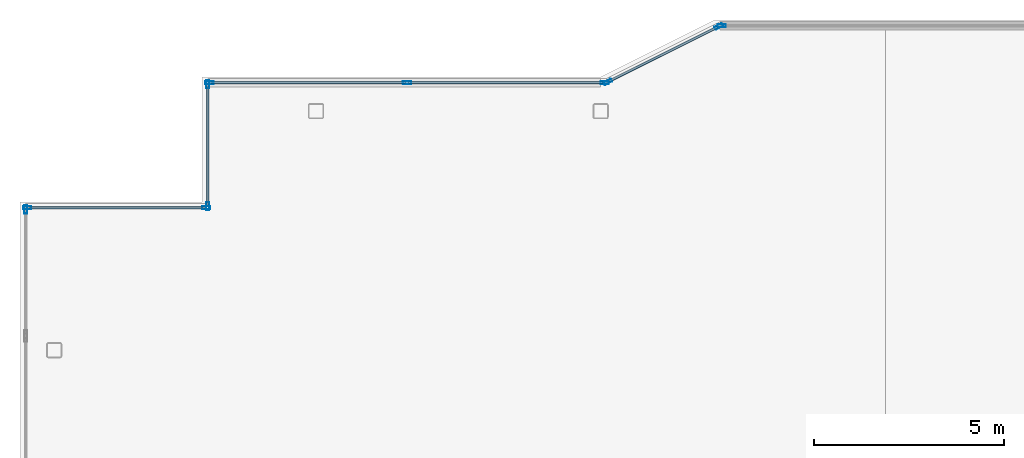
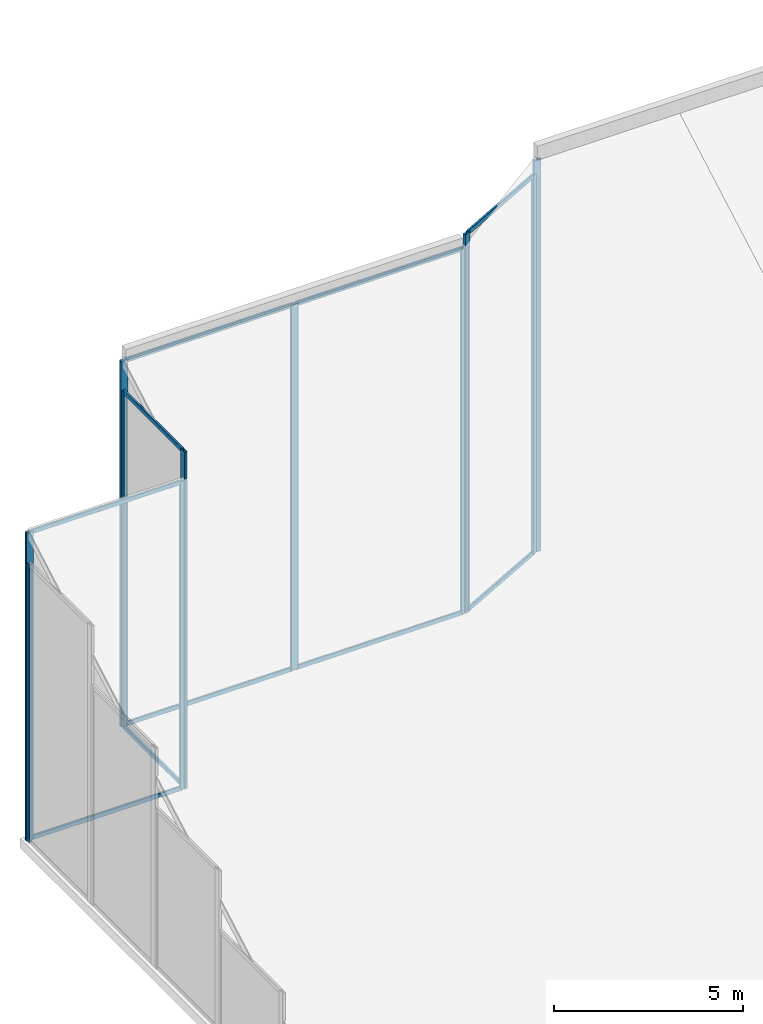
# One storey, part 4 of 11: 21 members, 6 elements without a shape of their own.
"""IFC4 building model written with IfcOpenShell, lengths in metres."""

from ifc_helpers import new_model, si_unit, direction, frame, origin, origin_2d, place, context, subcontext, project, spatial, hollow_rectangle, extrude, material, layer, layer_set, material_profile, profile_set, type_object, element, aggregate, save


model = new_model("IFC4")

# Units and contexts
model_context = context("Model", 3, precision=1e-05, world=origin(), true_north=direction((0.0, 1.0)))
body_context = subcontext(model_context, "Body", "Model", "MODEL_VIEW")
ifc_project = project(units=[si_unit("LENGTHUNIT", "METRE"), si_unit("AREAUNIT", "SQUARE_METRE"), si_unit("VOLUMEUNIT", "CUBIC_METRE"), si_unit("PLANEANGLEUNIT", "RADIAN"), si_unit("MASSUNIT", "GRAM", prefix="KILO")], contexts=[model_context])

# Site, building, storey
site_placement = place(None, origin())
site = spatial("IfcSite", under=ifc_project, at=site_placement, CompositionType="ELEMENT")
building_placement = place(site_placement, origin())
building = spatial("IfcBuilding", under=site, at=building_placement, Name="Tarnavaz Court Tower", CompositionType="ELEMENT")
storey_placement = place(building_placement, frame((0.0, 0.0, 304.050048828125)))
storey = spatial("IfcBuildingStorey", under=building, at=storey_placement, Name="C06", CompositionType="ELEMENT", Elevation=304.050048828125)

# Curtain wall, members
ifc_material_1 = material(Name="Anodised Aluminium 6063-T6 and Solar Low-E Glazing", Category="aluminium")
ifc_layer = layer(ifc_material_1, 0.2099609375)
ifc_layer_set = layer_set([ifc_layer], Name="Anodised Aluminium 6063-T6 and Solar Low-E Glazing")
curtain_wall_type = type_object("IfcCurtainWallType", Name="CW-SYS-06", PredefinedType="NOTDEFINED", material=ifc_layer_set)
curtain_wall_1_placement = place(storey_placement, origin())
curtain_wall_1 = element("IfcCurtainWall", 1, at=curtain_wall_1_placement, inside=storey, type_object=curtain_wall_type, Name="C06 Slanted Crown Terracotta Curtain Wall 1", PredefinedType="NOTDEFINED")
ifc_material_2 = material(Name="Anodised Aluminium 6063-T6", Category="aluminium")
ifc_material_profile_1 = material_profile(ifc_material_2, hollow_rectangle(XDim=0.0849609375, YDim=0.219970703125, WallThickness=0.006103515625, InnerFilletRadius=0.006103515625, OuterFilletRadius=0.011962890625, at=origin_2d()), Name="ALU RHS 220X85X6")
ifc_profile_set_1 = profile_set([ifc_material_profile_1], Name="Anodised Aluminium 6063-T6")
member_type_1 = type_object("IfcMemberType", Name="CW-MUL-220", PredefinedType="MULLION", material=ifc_profile_set_1)
member_1_placement = place(storey_placement, frame((-22.607421875, 17.550048828125, 0.0), z_axis=(0.0, 0.0, 1.0), x_axis=(0.0, 1.0, 0.0)))
member_1 = element("IfcMember", 2, at=member_1_placement, type_object=member_type_1, Name="CW mullion 1", PredefinedType="MULLION", context=body_context, shape_type="SweptSolid", body=[
    extrude(hollow_rectangle(XDim=0.0849609375, YDim=0.219970703125, WallThickness=0.006103515625, InnerFilletRadius=0.006103515625, OuterFilletRadius=0.011962890625, at=origin_2d()), origin(), (0.0, 0.0, 1.0), 9.96044921875),
])
member_2_placement = place(storey_placement, frame((-17.892578125, 17.550048828125, 0.0), z_axis=(0.0, 0.0, 1.0), x_axis=(0.0, 1.0, 0.0)))
member_2 = element("IfcMember", 3, at=member_2_placement, type_object=member_type_1, Name="CW mullion 2", PredefinedType="MULLION", context=body_context, shape_type="SweptSolid", body=[
    extrude(hollow_rectangle(XDim=0.0849609375, YDim=0.219970703125, WallThickness=0.006103515625, InnerFilletRadius=0.006103515625, OuterFilletRadius=0.011962890625, at=origin_2d()), origin(), (0.0, 0.0, 1.0), 9.96044921875),
])

curtain_wall_2_placement = place(storey_placement, origin())
curtain_wall_2 = element("IfcCurtainWall", 4, at=curtain_wall_2_placement, inside=storey, type_object=curtain_wall_type, Name="C06 Slanted Crown Terracotta Curtain Wall 2", PredefinedType="NOTDEFINED")
member_3_placement = place(storey_placement, frame((-17.85009765625, 17.592529296875, 0.0), z_axis=(0.0, 0.0, 1.0), x_axis=(-1.0, 0.0, 0.0)))
member_3 = element("IfcMember", 5, at=member_3_placement, type_object=member_type_1, Name="CW mullion 1", PredefinedType="MULLION", context=body_context, shape_type="SweptSolid", body=[
    extrude(hollow_rectangle(XDim=0.0849609375, YDim=0.219970703125, WallThickness=0.006103515625, InnerFilletRadius=0.006103515625, OuterFilletRadius=0.011962890625, at=origin_2d()), origin(), (0.0, 0.0, 1.0), 10.8935546875),
])
member_4_placement = place(storey_placement, frame((-17.85009765625, 20.8076171875, 0.0), z_axis=(0.0, 0.0, 1.0), x_axis=(-1.0, 0.0, 0.0)))
member_4 = element("IfcMember", 6, at=member_4_placement, type_object=member_type_1, Name="CW mullion 2", PredefinedType="MULLION", context=body_context, shape_type="SweptSolid", body=[
    extrude(hollow_rectangle(XDim=0.0849609375, YDim=0.219970703125, WallThickness=0.006103515625, InnerFilletRadius=0.006103515625, OuterFilletRadius=0.011962890625, at=origin_2d()), origin(), (0.0, 0.0, 1.0), 10.8935546875),
])

curtain_wall_3_placement = place(storey_placement, origin())
curtain_wall_3 = element("IfcCurtainWall", 7, at=curtain_wall_3_placement, inside=storey, type_object=curtain_wall_type, Name="C06 Slanted Crown Terracotta Curtain Wall 3", PredefinedType="NOTDEFINED")
member_5_placement = place(storey_placement, frame((-17.8076171875, 20.85009765625, 0.0), z_axis=(0.0, 0.0, 1.0), x_axis=(0.0, 1.0, 0.0)))
member_5 = element("IfcMember", 8, at=member_5_placement, type_object=member_type_1, Name="CW mullion 1", PredefinedType="MULLION", context=body_context, shape_type="SweptSolid", body=[
    extrude(hollow_rectangle(XDim=0.0849609375, YDim=0.219970703125, WallThickness=0.006103515625, InnerFilletRadius=0.006103515625, OuterFilletRadius=0.011962890625, at=origin_2d()), origin(), (0.0, 0.0, 1.0), 11.82666015625),
])
member_6_placement = place(storey_placement, frame((-12.60009765625, 20.85009765625, 0.0), z_axis=(0.0, 0.0, 1.0), x_axis=(0.0, 1.0, 0.0)))
member_6 = element("IfcMember", 9, at=member_6_placement, type_object=member_type_1, Name="CW mullion 2", PredefinedType="MULLION", context=body_context, shape_type="SweptSolid", body=[
    extrude(hollow_rectangle(XDim=0.0849609375, YDim=0.219970703125, WallThickness=0.006103515625, InnerFilletRadius=0.006103515625, OuterFilletRadius=0.011962890625, at=origin_2d()), origin(), (0.0, 0.0, 1.0), 11.82666015625),
])
member_7_placement = place(storey_placement, frame((-7.392578125, 20.85009765625, 0.0), z_axis=(0.0, 0.0, 1.0), x_axis=(0.0, 1.0, 0.0)))
member_7 = element("IfcMember", 10, at=member_7_placement, type_object=member_type_1, Name="CW mullion 3", PredefinedType="MULLION", context=body_context, shape_type="SweptSolid", body=[
    extrude(hollow_rectangle(XDim=0.0849609375, YDim=0.219970703125, WallThickness=0.006103515625, InnerFilletRadius=0.006103515625, OuterFilletRadius=0.011962890625, at=origin_2d()), origin(), (0.0, 0.0, 1.0), 11.82666015625),
])

curtain_wall_4_placement = place(storey_placement, origin())
curtain_wall_4 = element("IfcCurtainWall", 11, at=curtain_wall_4_placement, inside=storey, type_object=curtain_wall_type, Name="C06 Slanted Crown Terracotta Curtain Wall 4", PredefinedType="NOTDEFINED")
member_8_placement = place(storey_placement, frame((-7.31201171875, 20.868896484375, 0.0), z_axis=(0.0, 0.0, 1.0), x_axis=(-0.447213595499, 0.894427191001, 0.0)))
member_8 = element("IfcMember", 12, at=member_8_placement, type_object=member_type_1, Name="CW mullion 1", PredefinedType="MULLION", context=body_context, shape_type="SweptSolid", body=[
    extrude(hollow_rectangle(XDim=0.0849609375, YDim=0.219970703125, WallThickness=0.006103515625, InnerFilletRadius=0.006103515625, OuterFilletRadius=0.011962890625, at=origin_2d()), origin(), (0.0, 0.0, 1.0), 12.2509765625),
])
member_9_placement = place(storey_placement, frame((-4.387939453125, 22.3310546875, 0.0), z_axis=(0.0, 0.0, 1.0), x_axis=(-0.447213595499, 0.894427191001, 0.0)))
member_9 = element("IfcMember", 13, at=member_9_placement, type_object=member_type_1, Name="CW mullion 2", PredefinedType="MULLION", context=body_context, shape_type="SweptSolid", body=[
    extrude(hollow_rectangle(XDim=0.0849609375, YDim=0.219970703125, WallThickness=0.006103515625, InnerFilletRadius=0.006103515625, OuterFilletRadius=0.011962890625, at=origin_2d()), origin(), (0.0, 0.0, 1.0), 12.2509765625),
])

# Curtain wall, member
curtain_wall_5_placement = place(storey_placement, origin())
curtain_wall_5 = element("IfcCurtainWall", 14, at=curtain_wall_5_placement, inside=storey, type_object=curtain_wall_type, Name="C06 Slanted Crown Terracotta Curtain Wall 5", PredefinedType="NOTDEFINED")
member_10_placement = place(storey_placement, frame((-4.3076171875, 22.35009765625, 0.0), z_axis=(0.0, 0.0, 1.0), x_axis=(0.0, 1.0, 0.0)))
member_10 = element("IfcMember", 15, at=member_10_placement, type_object=member_type_1, Name="CW mullion 1", PredefinedType="MULLION", context=body_context, shape_type="SweptSolid", body=[
    extrude(hollow_rectangle(XDim=0.0849609375, YDim=0.219970703125, WallThickness=0.006103515625, InnerFilletRadius=0.006103515625, OuterFilletRadius=0.011962890625, at=origin_2d()), origin(), (0.0, 0.0, 1.0), 12.675048828125),
])
aggregate(curtain_wall_5, [member_10])

curtain_wall_6_placement = place(storey_placement, origin())
curtain_wall_6 = element("IfcCurtainWall", 16, at=curtain_wall_6_placement, inside=storey, type_object=curtain_wall_type, Name="C06 Slanted Crown Terracotta Curtain Wall 19", PredefinedType="NOTDEFINED")
member_11_placement = place(storey_placement, frame((-22.64990234375, 17.507568359375, 0.0), z_axis=(0.0, 0.0, 1.0), x_axis=(-1.0, 0.0, 0.0)))
member_11 = element("IfcMember", 17, at=member_11_placement, type_object=member_type_1, Name="CW mullion 2", PredefinedType="MULLION", context=body_context, shape_type="SweptSolid", body=[
    extrude(hollow_rectangle(XDim=0.0849609375, YDim=0.219970703125, WallThickness=0.006103515625, InnerFilletRadius=0.006103515625, OuterFilletRadius=0.011962890625, at=origin_2d()), origin(), (0.0, 0.0, 1.0), 9.004638671875),
])
aggregate(curtain_wall_6, [member_11])

# Member
ifc_material_profile_2 = material_profile(ifc_material_2, hollow_rectangle(XDim=0.06494140625, YDim=0.139892578125, WallThickness=0.00390625, InnerFilletRadius=0.00390625, OuterFilletRadius=0.008056640625, at=origin_2d()), Name="ALU RHS 140X65X4")
ifc_profile_set_2 = profile_set([ifc_material_profile_2], Name="Anodised Aluminium 6063-T6")
member_type_2 = type_object("IfcMemberType", Name="CW-TRN-140", PredefinedType="USERDEFINED", material=ifc_profile_set_2)
member_12_placement = place(storey_placement, frame((-22.56494140625, 17.550048828125, 0.032470703125), z_axis=(1.0, 0.0, 0.0), x_axis=(0.0, 1.0, 0.0)))
member_12 = element("IfcMember", 18, at=member_12_placement, type_object=member_type_2, Name="CW transom 1.1", ObjectType="TRANSOM", PredefinedType="USERDEFINED", context=body_context, shape_type="SweptSolid", body=[
    extrude(hollow_rectangle(XDim=0.06494140625, YDim=0.139892578125, WallThickness=0.00390625, InnerFilletRadius=0.00390625, OuterFilletRadius=0.008056640625, at=origin_2d()), origin(), (0.0, 0.0, 1.0), 4.6298828125),
])

member_13_placement = place(storey_placement, frame((-22.56494140625, 17.550048828125, 9.927978515625), z_axis=(1.0, 0.0, 0.0), x_axis=(0.0, 1.0, 0.0)))
member_13 = element("IfcMember", 19, at=member_13_placement, type_object=member_type_2, Name="CW transom 1.2", ObjectType="TRANSOM", PredefinedType="USERDEFINED", context=body_context, shape_type="SweptSolid", body=[
    extrude(hollow_rectangle(XDim=0.06494140625, YDim=0.139892578125, WallThickness=0.00390625, InnerFilletRadius=0.00390625, OuterFilletRadius=0.008056640625, at=origin_2d()), origin(), (0.0, 0.0, 1.0), 4.6298828125),
])

aggregate(curtain_wall_1, [member_1, member_2, member_12, member_13])

member_14_placement = place(storey_placement, frame((-17.85009765625, 17.635009765625, 0.032470703125), z_axis=(0.0, 1.0, 0.0), x_axis=(-1.0, 0.0, 0.0)))
member_14 = element("IfcMember", 20, at=member_14_placement, type_object=member_type_2, Name="CW transom 1.1", ObjectType="TRANSOM", PredefinedType="USERDEFINED", context=body_context, shape_type="SweptSolid", body=[
    extrude(hollow_rectangle(XDim=0.06494140625, YDim=0.139892578125, WallThickness=0.00390625, InnerFilletRadius=0.00390625, OuterFilletRadius=0.008056640625, at=origin_2d()), origin(), (0.0, 0.0, 1.0), 3.1298828125),
])

member_15_placement = place(storey_placement, frame((-17.85009765625, 17.635009765625, 10.861083984375), z_axis=(0.0, 1.0, 0.0), x_axis=(-1.0, 0.0, 0.0)))
member_15 = element("IfcMember", 21, at=member_15_placement, type_object=member_type_2, Name="CW transom 1.2", ObjectType="TRANSOM", PredefinedType="USERDEFINED", context=body_context, shape_type="SweptSolid", body=[
    extrude(hollow_rectangle(XDim=0.06494140625, YDim=0.139892578125, WallThickness=0.00390625, InnerFilletRadius=0.00390625, OuterFilletRadius=0.008056640625, at=origin_2d()), origin(), (0.0, 0.0, 1.0), 3.1298828125),
])

aggregate(curtain_wall_2, [member_3, member_4, member_14, member_15])

member_16_placement = place(storey_placement, frame((-17.764892578125, 20.85009765625, 0.032470703125), z_axis=(1.0, 0.0, 0.0), x_axis=(0.0, 1.0, 0.0)))
member_16 = element("IfcMember", 22, at=member_16_placement, type_object=member_type_2, Name="CW transom 1.1", ObjectType="TRANSOM", PredefinedType="USERDEFINED", context=body_context, shape_type="SweptSolid", body=[
    extrude(hollow_rectangle(XDim=0.06494140625, YDim=0.139892578125, WallThickness=0.00390625, InnerFilletRadius=0.00390625, OuterFilletRadius=0.008056640625, at=origin_2d()), origin(), (0.0, 0.0, 1.0), 5.122314453125),
])

member_17_placement = place(storey_placement, frame((-17.764892578125, 20.85009765625, 11.794189453125), z_axis=(1.0, 0.0, 0.0), x_axis=(0.0, 1.0, 0.0)))
member_17 = element("IfcMember", 23, at=member_17_placement, type_object=member_type_2, Name="CW transom 1.2", ObjectType="TRANSOM", PredefinedType="USERDEFINED", context=body_context, shape_type="SweptSolid", body=[
    extrude(hollow_rectangle(XDim=0.06494140625, YDim=0.139892578125, WallThickness=0.00390625, InnerFilletRadius=0.00390625, OuterFilletRadius=0.008056640625, at=origin_2d()), origin(), (0.0, 0.0, 1.0), 5.122314453125),
])

member_18_placement = place(storey_placement, frame((-12.5576171875, 20.85009765625, 0.032470703125), z_axis=(1.0, 0.0, 0.0), x_axis=(0.0, 1.0, 0.0)))
member_18 = element("IfcMember", 24, at=member_18_placement, type_object=member_type_2, Name="CW transom 2.1", ObjectType="TRANSOM", PredefinedType="USERDEFINED", context=body_context, shape_type="SweptSolid", body=[
    extrude(hollow_rectangle(XDim=0.06494140625, YDim=0.139892578125, WallThickness=0.00390625, InnerFilletRadius=0.00390625, OuterFilletRadius=0.008056640625, at=origin_2d()), origin(), (0.0, 0.0, 1.0), 5.12255859375),
])

member_19_placement = place(storey_placement, frame((-12.5576171875, 20.85009765625, 11.794189453125), z_axis=(1.0, 0.0, 0.0), x_axis=(0.0, 1.0, 0.0)))
member_19 = element("IfcMember", 25, at=member_19_placement, type_object=member_type_2, Name="CW transom 2.2", ObjectType="TRANSOM", PredefinedType="USERDEFINED", context=body_context, shape_type="SweptSolid", body=[
    extrude(hollow_rectangle(XDim=0.06494140625, YDim=0.139892578125, WallThickness=0.00390625, InnerFilletRadius=0.00390625, OuterFilletRadius=0.008056640625, at=origin_2d()), origin(), (0.0, 0.0, 1.0), 5.12255859375),
])

aggregate(curtain_wall_3, [member_5, member_6, member_7, member_16, member_17, member_18, member_19])

member_20_placement = place(storey_placement, frame((-7.27392578125, 20.887939453125, 0.032470703125), z_axis=(0.894411855509, 0.447244265168, 0.0), x_axis=(-0.447244265168, 0.894411855509, 0.0)))
member_20 = element("IfcMember", 26, at=member_20_placement, type_object=member_type_2, Name="CW transom 1.1", ObjectType="TRANSOM", PredefinedType="USERDEFINED", context=body_context, shape_type="SweptSolid", body=[
    extrude(hollow_rectangle(XDim=0.06494140625, YDim=0.139892578125, WallThickness=0.00390625, InnerFilletRadius=0.00390625, OuterFilletRadius=0.008056640625, at=origin_2d()), origin(), (0.0, 0.0, 1.0), 3.18408203125),
])

member_21_placement = place(storey_placement, frame((-7.27392578125, 20.887939453125, 12.218505859375), z_axis=(0.894411855509, 0.447244265168, 0.0), x_axis=(-0.447244265168, 0.894411855509, 0.0)))
member_21 = element("IfcMember", 27, at=member_21_placement, type_object=member_type_2, Name="CW transom 1.2", ObjectType="TRANSOM", PredefinedType="USERDEFINED", context=body_context, shape_type="SweptSolid", body=[
    extrude(hollow_rectangle(XDim=0.06494140625, YDim=0.139892578125, WallThickness=0.00390625, InnerFilletRadius=0.00390625, OuterFilletRadius=0.008056640625, at=origin_2d()), origin(), (0.0, 0.0, 1.0), 3.18408203125),
])

aggregate(curtain_wall_4, [member_8, member_9, member_20, member_21])

save(model, "model.ifc")
